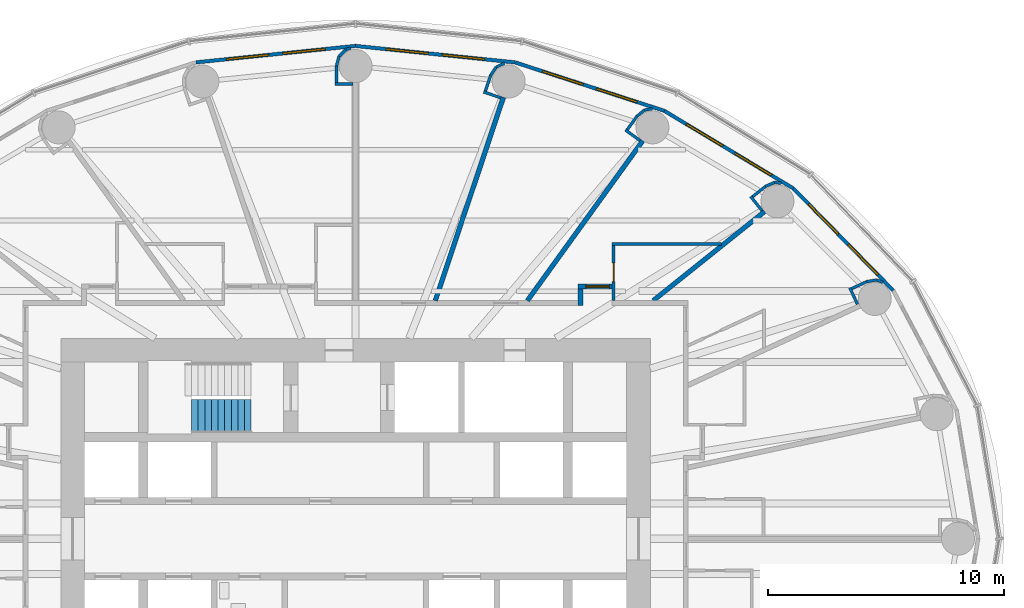
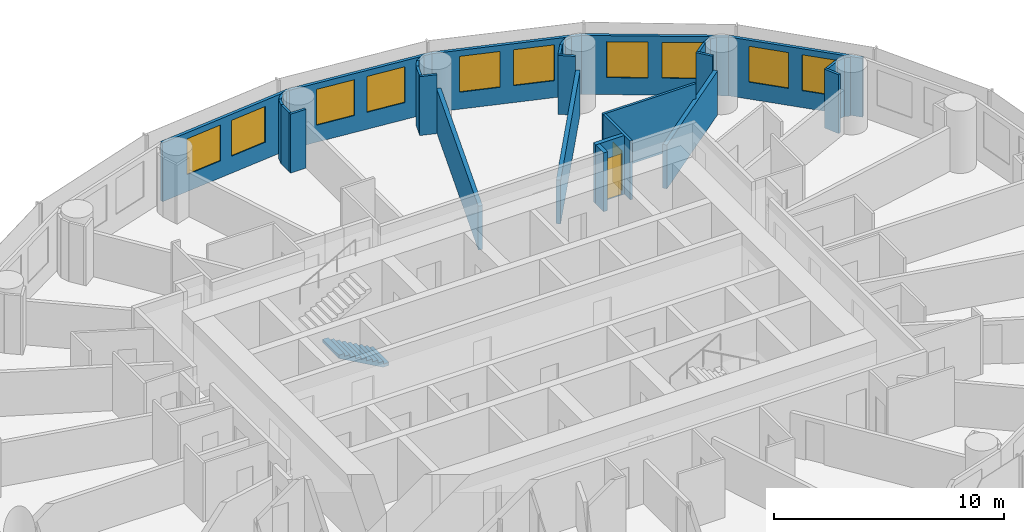
# One storey, part 13 of 16: 33 walls, 10 windows, 2 doors, 1 stair flight, 12 openings, 1 element without a shape of its own.
"""IFC4 building model written with IfcOpenShell, lengths in metres."""

from ifc_helpers import new_model, si_unit, direction, frame, frame_2d, origin, place, context, subcontext, project, spatial, polyline, rectangle, outline, extrude, material, layer, layer_set, type_object, element, fill, aggregate, save


model = new_model("IFC4")

# Units and contexts
model_context = context("Model", 3, precision=1e-05, world=origin(), true_north=direction((0.0, 1.0)))
body_context = subcontext(model_context, "Body", "Model", "MODEL_VIEW")
ifc_project = project(units=[si_unit("LENGTHUNIT", "METRE"), si_unit("AREAUNIT", "SQUARE_METRE"), si_unit("VOLUMEUNIT", "CUBIC_METRE"), si_unit("PLANEANGLEUNIT", "RADIAN"), si_unit("MASSUNIT", "GRAM", prefix="KILO")], contexts=[model_context])

# Site, building, storey
site_placement = place(None, origin())
site = spatial("IfcSite", under=ifc_project, at=site_placement, CompositionType="ELEMENT")
building_placement = place(site_placement, origin())
building = spatial("IfcBuilding", under=site, at=building_placement, Name="Hankou Lantern Tower", CompositionType="ELEMENT")
storey_placement = place(building_placement, frame((0.0, 0.0, 73.800048828125)))
storey = spatial("IfcBuildingStorey", under=building, at=storey_placement, Name="L18", CompositionType="ELEMENT", Elevation=73.800048828125)

# Wall, openings, windows
ifc_material_1 = material(Name="Aluminium spandrel panel on steel studs", Category="steel")
ifc_layer_1 = layer(ifc_material_1, 0.14990234375)
ifc_layer_set_1 = layer_set([ifc_layer_1], Name="Aluminium spandrel panel on steel studs")
wall_type_1 = type_object("IfcWallType", Name="EW1 INNER SKIN WALL 150", PredefinedType="ELEMENTEDWALL", material=ifc_layer_set_1)
wall_1_placement = place(storey_placement, frame((22.802734375, 10.5322265625, 0.0), z_axis=(0.0, 0.0, 1.0), x_axis=(-0.699602905915, 0.714531856557, 0.0)))
wall_1 = element("IfcWall", 1, at=wall_1_placement, inside=storey, type_object=wall_type_1, Name="Inner skin R03-R04 L18", PredefinedType="ELEMENTEDWALL", context=body_context, shape_type="SweptSolid", body=[
    extrude(rectangle(XDim=6.05078125, YDim=0.14990234375, at=frame_2d((3.025390625, 0.0))), origin(), (0.0, 0.0, 1.0), 3.119873046875),
])
opening_1_placement = place(wall_1_placement, frame((0.925537109375, 0.0, 0.89990234375)))
opening_1 = element("IfcOpeningElement", 2, at=opening_1_placement, cuts=wall_1, Name="Opening W1", PredefinedType="OPENING", context=body_context, shape_type="SweptSolid", body=[
    extrude(rectangle(XDim=1.800048828125, YDim=1.89990234375, at=frame_2d((0.89990234375, 0.949951171875))), frame((0.0, 0.0849609375, 0.0), z_axis=(0.0, -1.0, 0.0), x_axis=(1.0, 0.0, 0.0)), (0.0, 0.0, 1.0), 0.169921875),
])
opening_2_placement = place(wall_1_placement, frame((3.325439453125, 0.0, 0.89990234375)))
opening_2 = element("IfcOpeningElement", 3, at=opening_2_placement, cuts=wall_1, Name="Opening W1", PredefinedType="OPENING", context=body_context, shape_type="SweptSolid", body=[
    extrude(rectangle(XDim=1.800048828125, YDim=1.89990234375, at=frame_2d((0.89990234375, 0.949951171875))), frame((0.0, 0.0849609375, 0.0), z_axis=(0.0, -1.0, 0.0), x_axis=(1.0, 0.0, 0.0)), (0.0, 0.0, 1.0), 0.169921875),
])
ifc_material_2 = material(Name="Aluminium framed double glazed window", Category="aluminium")
window_type = type_object("IfcWindowType", Name="W1 GUEST ROOM WINDOW 1800X1900", PartitioningType="DOUBLE_PANEL_VERTICAL", PredefinedType="WINDOW", material=ifc_material_2)
window_1_placement = place(opening_1_placement, origin())
window_1 = element("IfcWindow", 4, at=window_1_placement, inside=storey, type_object=window_type, Name="Window R03.1 L18", OverallHeight=1.89990234375, OverallWidth=1.800048828125, PartitioningType="SINGLE_PANEL", PredefinedType="WINDOW", context=body_context, shape_type="SweptSolid", body=[
    extrude(rectangle(XDim=1.800048828125, YDim=1.89990234375, at=frame_2d((0.89990234375, 0.949951171875))), frame((0.0, 0.030029296875, 0.0), z_axis=(0.0, -1.0, 0.0), x_axis=(1.0, 0.0, 0.0)), (0.0, 0.0, 1.0), 0.06005859375),
])
fill(opening_1, window_1)
window_2_placement = place(opening_2_placement, origin())
window_2 = element("IfcWindow", 5, at=window_2_placement, inside=storey, type_object=window_type, Name="Window R03.2 L18", OverallHeight=1.89990234375, OverallWidth=1.800048828125, PartitioningType="SINGLE_PANEL", PredefinedType="WINDOW", context=body_context, shape_type="SweptSolid", body=[
    extrude(rectangle(XDim=1.800048828125, YDim=1.89990234375, at=frame_2d((0.89990234375, 0.949951171875))), frame((0.0, 0.030029296875, 0.0), z_axis=(0.0, -1.0, 0.0), x_axis=(1.0, 0.0, 0.0)), (0.0, 0.0, 1.0), 0.06005859375),
])
fill(opening_2, window_2)

wall_2_placement = place(storey_placement, frame((18.569580078125, 14.855712890625, 0.0), z_axis=(0.0, 0.0, 1.0), x_axis=(-0.856983180864, 0.515344377787, 0.0)))
wall_2 = element("IfcWall", 6, at=wall_2_placement, inside=storey, type_object=wall_type_1, Name="Inner skin R04-R05 L18", PredefinedType="ELEMENTEDWALL", context=body_context, shape_type="SweptSolid", body=[
    extrude(rectangle(XDim=6.386474609375, YDim=0.14990234375, at=frame_2d((3.193359375, 0.0))), origin(), (0.0, 0.0, 1.0), 3.119873046875),
])
opening_3_placement = place(wall_2_placement, frame((1.09326171875, 0.0, 0.89990234375)))
opening_3 = element("IfcOpeningElement", 7, at=opening_3_placement, cuts=wall_2, Name="Opening W1", PredefinedType="OPENING", context=body_context, shape_type="SweptSolid", body=[
    extrude(rectangle(XDim=1.800048828125, YDim=1.89990234375, at=frame_2d((0.89990234375, 0.949951171875))), frame((0.0, 0.0849609375, 0.0), z_axis=(0.0, -1.0, 0.0), x_axis=(1.0, 0.0, 0.0)), (0.0, 0.0, 1.0), 0.169921875),
])
opening_4_placement = place(wall_2_placement, frame((3.4931640625, 0.0, 0.89990234375)))
opening_4 = element("IfcOpeningElement", 8, at=opening_4_placement, cuts=wall_2, Name="Opening W1", PredefinedType="OPENING", context=body_context, shape_type="SweptSolid", body=[
    extrude(rectangle(XDim=1.800048828125, YDim=1.89990234375, at=frame_2d((0.89990234375, 0.949951171875))), frame((0.0, 0.0849609375, 0.0), z_axis=(0.0, -1.0, 0.0), x_axis=(1.0, 0.0, 0.0)), (0.0, 0.0, 1.0), 0.169921875),
])
window_3_placement = place(opening_3_placement, origin())
window_3 = element("IfcWindow", 9, at=window_3_placement, inside=storey, type_object=window_type, Name="Window R04.1 L18", OverallHeight=1.89990234375, OverallWidth=1.800048828125, PartitioningType="SINGLE_PANEL", PredefinedType="WINDOW", context=body_context, shape_type="SweptSolid", body=[
    extrude(rectangle(XDim=1.800048828125, YDim=1.89990234375, at=frame_2d((0.89990234375, 0.949951171875))), frame((0.0, 0.030029296875, 0.0), z_axis=(0.0, -1.0, 0.0), x_axis=(1.0, 0.0, 0.0)), (0.0, 0.0, 1.0), 0.06005859375),
])
fill(opening_3, window_3)
window_4_placement = place(opening_4_placement, origin())
window_4 = element("IfcWindow", 10, at=window_4_placement, inside=storey, type_object=window_type, Name="Window R04.2 L18", OverallHeight=1.89990234375, OverallWidth=1.800048828125, PartitioningType="SINGLE_PANEL", PredefinedType="WINDOW", context=body_context, shape_type="SweptSolid", body=[
    extrude(rectangle(XDim=1.800048828125, YDim=1.89990234375, at=frame_2d((0.89990234375, 0.949951171875))), frame((0.0, 0.030029296875, 0.0), z_axis=(0.0, -1.0, 0.0), x_axis=(1.0, 0.0, 0.0)), (0.0, 0.0, 1.0), 0.06005859375),
])
fill(opening_4, window_4)

wall_3_placement = place(storey_placement, frame((13.096435546875, 18.14697265625, 0.0), z_axis=(0.0, 0.0, 1.0), x_axis=(-0.951137534625, 0.308767534285, 0.0)))
wall_3 = element("IfcWall", 11, at=wall_3_placement, inside=storey, type_object=wall_type_1, Name="Inner skin R05-R06 L18", PredefinedType="ELEMENTEDWALL", context=body_context, shape_type="SweptSolid", body=[
    extrude(rectangle(XDim=6.6552734375, YDim=0.14990234375, at=frame_2d((3.32763671875, 0.0))), origin(), (0.0, 0.0, 1.0), 3.119873046875),
])
opening_5_placement = place(wall_3_placement, frame((1.2275390625, 0.0, 0.89990234375)))
opening_5 = element("IfcOpeningElement", 12, at=opening_5_placement, cuts=wall_3, Name="Opening W1", PredefinedType="OPENING", context=body_context, shape_type="SweptSolid", body=[
    extrude(rectangle(XDim=1.800048828125, YDim=1.89990234375, at=frame_2d((0.89990234375, 0.949951171875))), frame((0.0, 0.0849609375, 0.0), z_axis=(0.0, -1.0, 0.0), x_axis=(1.0, 0.0, 0.0)), (0.0, 0.0, 1.0), 0.169921875),
])
opening_6_placement = place(wall_3_placement, frame((3.627685546875, 0.0, 0.89990234375)))
opening_6 = element("IfcOpeningElement", 13, at=opening_6_placement, cuts=wall_3, Name="Opening W1", PredefinedType="OPENING", context=body_context, shape_type="SweptSolid", body=[
    extrude(rectangle(XDim=1.800048828125, YDim=1.89990234375, at=frame_2d((0.89990234375, 0.949951171875))), frame((0.0, 0.0849609375, 0.0), z_axis=(0.0, -1.0, 0.0), x_axis=(1.0, 0.0, 0.0)), (0.0, 0.0, 1.0), 0.169921875),
])
window_5_placement = place(opening_5_placement, origin())
window_5 = element("IfcWindow", 14, at=window_5_placement, inside=storey, type_object=window_type, Name="Window R05.1 L18", OverallHeight=1.89990234375, OverallWidth=1.800048828125, PartitioningType="SINGLE_PANEL", PredefinedType="WINDOW", context=body_context, shape_type="SweptSolid", body=[
    extrude(rectangle(XDim=1.800048828125, YDim=1.89990234375, at=frame_2d((0.89990234375, 0.949951171875))), frame((0.0, 0.030029296875, 0.0), z_axis=(0.0, -1.0, 0.0), x_axis=(1.0, 0.0, 0.0)), (0.0, 0.0, 1.0), 0.06005859375),
])
fill(opening_5, window_5)
window_6_placement = place(opening_6_placement, origin())
window_6 = element("IfcWindow", 15, at=window_6_placement, inside=storey, type_object=window_type, Name="Window R05.2 L18", OverallHeight=1.89990234375, OverallWidth=1.800048828125, PartitioningType="SINGLE_PANEL", PredefinedType="WINDOW", context=body_context, shape_type="SweptSolid", body=[
    extrude(rectangle(XDim=1.800048828125, YDim=1.89990234375, at=frame_2d((0.89990234375, 0.949951171875))), frame((0.0, 0.030029296875, 0.0), z_axis=(0.0, -1.0, 0.0), x_axis=(1.0, 0.0, 0.0)), (0.0, 0.0, 1.0), 0.06005859375),
])
fill(opening_6, window_6)

wall_4_placement = place(storey_placement, frame((6.766357421875, 20.201904296875, 0.0), z_axis=(0.0, 0.0, 1.0), x_axis=(-0.994721394369, 0.102612609291, 0.0)))
wall_4 = element("IfcWall", 16, at=wall_4_placement, inside=storey, type_object=wall_type_1, Name="Inner skin R06-R07 L18", PredefinedType="ELEMENTEDWALL", context=body_context, shape_type="SweptSolid", body=[
    extrude(rectangle(XDim=6.80224609375, YDim=0.14990234375, at=frame_2d((3.401123046875, 0.0))), origin(), (0.0, 0.0, 1.0), 3.119873046875),
])
opening_7_placement = place(wall_4_placement, frame((1.301025390625, 0.0, 0.89990234375)))
opening_7 = element("IfcOpeningElement", 17, at=opening_7_placement, cuts=wall_4, Name="Opening W1", PredefinedType="OPENING", context=body_context, shape_type="SweptSolid", body=[
    extrude(rectangle(XDim=1.800048828125, YDim=1.89990234375, at=frame_2d((0.89990234375, 0.949951171875))), frame((0.0, 0.0849609375, 0.0), z_axis=(0.0, -1.0, 0.0), x_axis=(1.0, 0.0, 0.0)), (0.0, 0.0, 1.0), 0.169921875),
])
opening_8_placement = place(wall_4_placement, frame((3.701171875, 0.0, 0.89990234375)))
opening_8 = element("IfcOpeningElement", 18, at=opening_8_placement, cuts=wall_4, Name="Opening W1", PredefinedType="OPENING", context=body_context, shape_type="SweptSolid", body=[
    extrude(rectangle(XDim=1.800048828125, YDim=1.89990234375, at=frame_2d((0.89990234375, 0.949951171875))), frame((0.0, 0.0849609375, 0.0), z_axis=(0.0, -1.0, 0.0), x_axis=(1.0, 0.0, 0.0)), (0.0, 0.0, 1.0), 0.169921875),
])
window_7_placement = place(opening_7_placement, origin())
window_7 = element("IfcWindow", 19, at=window_7_placement, inside=storey, type_object=window_type, Name="Window R06.1 L18", OverallHeight=1.89990234375, OverallWidth=1.800048828125, PartitioningType="SINGLE_PANEL", PredefinedType="WINDOW", context=body_context, shape_type="SweptSolid", body=[
    extrude(rectangle(XDim=1.800048828125, YDim=1.89990234375, at=frame_2d((0.89990234375, 0.949951171875))), frame((0.0, 0.030029296875, 0.0), z_axis=(0.0, -1.0, 0.0), x_axis=(1.0, 0.0, 0.0)), (0.0, 0.0, 1.0), 0.06005859375),
])
fill(opening_7, window_7)
window_8_placement = place(opening_8_placement, origin())
window_8 = element("IfcWindow", 20, at=window_8_placement, inside=storey, type_object=window_type, Name="Window R06.2 L18", OverallHeight=1.89990234375, OverallWidth=1.800048828125, PartitioningType="SINGLE_PANEL", PredefinedType="WINDOW", context=body_context, shape_type="SweptSolid", body=[
    extrude(rectangle(XDim=1.800048828125, YDim=1.89990234375, at=frame_2d((0.89990234375, 0.949951171875))), frame((0.0, 0.030029296875, 0.0), z_axis=(0.0, -1.0, 0.0), x_axis=(1.0, 0.0, 0.0)), (0.0, 0.0, 1.0), 0.06005859375),
])
fill(opening_8, window_8)

wall_5_placement = place(storey_placement, frame((0.0, 20.89990234375, 0.0), z_axis=(0.0, 0.0, 1.0), x_axis=(-0.994721394369, -0.102612609291, 0.0)))
wall_5 = element("IfcWall", 21, at=wall_5_placement, inside=storey, type_object=wall_type_1, Name="Inner skin R07-R08 L18", PredefinedType="ELEMENTEDWALL", context=body_context, shape_type="SweptSolid", body=[
    extrude(rectangle(XDim=6.80224609375, YDim=0.14990234375, at=frame_2d((3.401123046875, 0.0))), origin(), (0.0, 0.0, 1.0), 3.119873046875),
])
opening_9_placement = place(wall_5_placement, frame((1.301025390625, 0.0, 0.89990234375)))
opening_9 = element("IfcOpeningElement", 22, at=opening_9_placement, cuts=wall_5, Name="Opening W1", PredefinedType="OPENING", context=body_context, shape_type="SweptSolid", body=[
    extrude(rectangle(XDim=1.800048828125, YDim=1.89990234375, at=frame_2d((0.89990234375, 0.949951171875))), frame((0.0, 0.0849609375, 0.0), z_axis=(0.0, -1.0, 0.0), x_axis=(1.0, 0.0, 0.0)), (0.0, 0.0, 1.0), 0.169921875),
])
opening_10_placement = place(wall_5_placement, frame((3.701171875, 0.0, 0.89990234375)))
opening_10 = element("IfcOpeningElement", 23, at=opening_10_placement, cuts=wall_5, Name="Opening W1", PredefinedType="OPENING", context=body_context, shape_type="SweptSolid", body=[
    extrude(rectangle(XDim=1.800048828125, YDim=1.89990234375, at=frame_2d((0.89990234375, 0.949951171875))), frame((0.0, 0.0849609375, 0.0), z_axis=(0.0, -1.0, 0.0), x_axis=(1.0, 0.0, 0.0)), (0.0, 0.0, 1.0), 0.169921875),
])
window_9_placement = place(opening_9_placement, origin())
window_9 = element("IfcWindow", 24, at=window_9_placement, inside=storey, type_object=window_type, Name="Window R07.1 L18", OverallHeight=1.89990234375, OverallWidth=1.800048828125, PartitioningType="SINGLE_PANEL", PredefinedType="WINDOW", context=body_context, shape_type="SweptSolid", body=[
    extrude(rectangle(XDim=1.800048828125, YDim=1.89990234375, at=frame_2d((0.89990234375, 0.949951171875))), frame((0.0, 0.030029296875, 0.0), z_axis=(0.0, -1.0, 0.0), x_axis=(1.0, 0.0, 0.0)), (0.0, 0.0, 1.0), 0.06005859375),
])
fill(opening_9, window_9)
window_10_placement = place(opening_10_placement, origin())
window_10 = element("IfcWindow", 25, at=window_10_placement, inside=storey, type_object=window_type, Name="Window R07.2 L18", OverallHeight=1.89990234375, OverallWidth=1.800048828125, PartitioningType="SINGLE_PANEL", PredefinedType="WINDOW", context=body_context, shape_type="SweptSolid", body=[
    extrude(rectangle(XDim=1.800048828125, YDim=1.89990234375, at=frame_2d((0.89990234375, 0.949951171875))), frame((0.0, 0.030029296875, 0.0), z_axis=(0.0, -1.0, 0.0), x_axis=(1.0, 0.0, 0.0)), (0.0, 0.0, 1.0), 0.06005859375),
])
fill(opening_10, window_10)

# Wall
ifc_material_3 = material(Name="Masonry lightweight concrete block", Category="masonry")
ifc_layer_2 = layer(ifc_material_3, 0.199951171875)
ifc_layer_set_2 = layer_set([ifc_layer_2], Name="Masonry lightweight concrete block")
wall_type_2 = type_object("IfcWallType", Name="IW1 GUEST ROOM PARTY WALL 200", PredefinedType="PARTITIONING", material=ifc_layer_set_2)
wall_6_placement = place(storey_placement, frame((12.625, 10.10009765625, 0.0), z_axis=(0.0, 0.0, 1.0), x_axis=(0.780892451574, 0.624665493744, 0.0)))
element("IfcWall", 26, at=wall_6_placement, inside=storey, type_object=wall_type_2, Name="Party wall R04", PredefinedType="PARTITIONING", context=body_context, shape_type="SweptSolid", body=[
    extrude(rectangle(XDim=6.044677734375, YDim=0.199951171875, at=frame_2d((3.0224609375, 0.0))), origin(), (0.0, 0.0, 1.0), 2.320068359375),
])

# Wall, opening, door
ifc_material_4 = material(Name="Masonry lightweight concrete block", Category="masonry")
ifc_layer_3 = layer(ifc_material_4, 0.199951171875)
ifc_layer_set_3 = layer_set([ifc_layer_3], Name="Masonry lightweight concrete block")
wall_type_3 = type_object("IfcWallType", Name="IW2 CORRIDOR WALL 200", PredefinedType="PARTITIONING", material=ifc_layer_set_3)
wall_7_placement = place(storey_placement, frame((9.445068359375, 10.699951171875, 0.0), z_axis=(0.0, 0.0, 1.0), x_axis=(1.0, 0.0, 0.0)))
wall_7 = element("IfcWall", 27, at=wall_7_placement, inside=storey, type_object=wall_type_3, Name="Corridor recess wall 1809 back", PredefinedType="PARTITIONING", context=body_context, shape_type="SweptSolid", body=[
    extrude(rectangle(XDim=1.43994140625, YDim=0.199951171875, at=frame_2d((0.719970703125, 0.0))), origin(), (0.0, 0.0, 1.0), 3.119873046875),
])
opening_11_placement = place(wall_7_placement, frame((0.320068359375, 0.0, 0.0)))
opening_11 = element("IfcOpeningElement", 28, at=opening_11_placement, cuts=wall_7, Name="Opening D1", PredefinedType="OPENING", context=body_context, shape_type="SweptSolid", body=[
    extrude(rectangle(XDim=1.0, YDim=2.199951171875, at=frame_2d((0.5, 1.10009765625))), frame((0.0, 0.10986328125, 0.0), z_axis=(0.0, -1.0, 0.0), x_axis=(1.0, 0.0, 0.0)), (0.0, 0.0, 1.0), 0.219970703125),
])
ifc_material_5 = material(Name="Steel door leaf", Category="steel")
door_type_1 = type_object("IfcDoorType", Name="D1 GUEST ROOM DOOR 1000X2200", OperationType="SINGLE_SWING_LEFT", PredefinedType="DOOR", material=ifc_material_5)
door_1_placement = place(opening_11_placement, origin())
door_1 = element("IfcDoor", 29, at=door_1_placement, inside=storey, type_object=door_type_1, Name="Guest room door 1809", OperationType="SINGLE_SWING_RIGHT", OverallHeight=2.199951171875, OverallWidth=1.0, PredefinedType="DOOR", context=body_context, shape_type="SweptSolid", body=[
    extrude(rectangle(XDim=1.0, YDim=2.199951171875, at=frame_2d((0.5, 1.10009765625))), frame((0.0, 0.02490234375, 0.0), z_axis=(0.0, -1.0, 0.0), x_axis=(1.0, 0.0, 0.0)), (0.0, 0.0, 1.0), 0.050048828125),
])
fill(opening_11, door_1)

# Walls
wall_8_placement = place(storey_placement, frame((9.544921875, 9.89990234375, 0.0), z_axis=(0.0, 0.0, 1.0), x_axis=(0.0, 1.0, 0.0)))
element("IfcWall", 30, at=wall_8_placement, inside=storey, type_object=wall_type_3, Name="Corridor recess wall 1809 side", PredefinedType="PARTITIONING", context=body_context, shape_type="SweptSolid", body=[
    extrude(rectangle(XDim=0.7001953125, YDim=0.199951171875, at=frame_2d((0.35009765625, 0.0))), origin(), (0.0, 0.0, 1.0), 3.119873046875),
])
ifc_material_6 = material(Name="Masonry lightweight concrete block", Category="masonry")
ifc_layer_4 = layer(ifc_material_6, 0.1201171875)
ifc_layer_set_4 = layer_set([ifc_layer_4], Name="Masonry lightweight concrete block")
wall_type_4 = type_object("IfcWallType", Name="IW3 BATHROOM WALL 120", PredefinedType="PARTITIONING", material=ifc_layer_set_4)
wall_9_placement = place(storey_placement, frame((15.52490234375, 12.5, 0.0), z_axis=(0.0, 0.0, 1.0), x_axis=(-1.0, 0.0, 0.0)))
element("IfcWall", 31, at=wall_9_placement, inside=storey, type_object=wall_type_4, Name="Box wall 1809 1", PredefinedType="PARTITIONING", context=body_context, shape_type="SweptSolid", body=[
    extrude(rectangle(XDim=4.639892578125, YDim=0.1201171875, at=frame_2d((2.31982421875, 0.0))), origin(), (0.0, 0.0, 1.0), 3.119873046875),
])

# Wall, opening, door
wall_10_placement = place(storey_placement, frame((10.945068359375, 10.10009765625, 0.0), z_axis=(0.0, 0.0, 1.0), x_axis=(0.0, 1.0, 0.0)))
wall_10 = element("IfcWall", 32, at=wall_10_placement, inside=storey, type_object=wall_type_4, Name="Box wall 1809 1", PredefinedType="PARTITIONING", context=body_context, shape_type="SweptSolid", body=[
    extrude(rectangle(XDim=2.33984375, YDim=0.1201171875, at=frame_2d((1.169921875, 0.0))), origin(), (0.0, 0.0, 1.0), 3.119873046875),
])
opening_12_placement = place(wall_10_placement, frame((0.800048828125, 0.0, 0.0)))
opening_12 = element("IfcOpeningElement", 33, at=opening_12_placement, cuts=wall_10, Name="Opening D3", PredefinedType="OPENING", context=body_context, shape_type="SweptSolid", body=[
    extrude(rectangle(XDim=0.800048828125, YDim=2.10009765625, at=frame_2d((0.39990234375, 1.050048828125))), frame((0.0, 0.070068359375, 0.0), z_axis=(0.0, -1.0, 0.0), x_axis=(1.0, 0.0, 0.0)), (0.0, 0.0, 1.0), 0.14013671875),
])
ifc_material_7 = material(Name="Timber door leaf", Category="wood")
door_type_2 = type_object("IfcDoorType", Name="D3 BATHROOM DOOR 800X2100", OperationType="SINGLE_SWING_LEFT", PredefinedType="DOOR", material=ifc_material_7)
door_2_placement = place(opening_12_placement, origin())
door_2 = element("IfcDoor", 34, at=door_2_placement, inside=storey, type_object=door_type_2, Name="En-suite bathroom 1809 door", OperationType="SINGLE_SWING_LEFT", OverallHeight=2.10009765625, OverallWidth=0.800048828125, PredefinedType="DOOR", context=body_context, shape_type="SweptSolid", body=[
    extrude(rectangle(XDim=0.800048828125, YDim=2.10009765625, at=frame_2d((0.39990234375, 1.050048828125))), frame((0.0, 0.02490234375, 0.0), z_axis=(0.0, -1.0, 0.0), x_axis=(1.0, 0.0, 0.0)), (0.0, 0.0, 1.0), 0.050048828125),
])
fill(opening_12, door_2)

# Walls
ifc_material_8 = material(Name="Masonry lightweight concrete block", Category="masonry")
ifc_layer_5 = layer(ifc_material_8, 0.1201171875)
ifc_layer_set_5 = layer_set([ifc_layer_5], Name="Masonry lightweight concrete block")
wall_type_5 = type_object("IfcWallType", Name="IW4 PARTITION 120", PredefinedType="PARTITIONING", material=ifc_layer_set_5)
wall_11_placement = place(storey_placement, frame((21.287109375, 9.9423828125, 0.0), z_axis=(0.0, 0.0, 1.0), x_axis=(-0.419259891039, 0.907866258744, 0.0)))
element("IfcWall", 35, at=wall_11_placement, inside=storey, type_object=wall_type_5, Name="Column casing R03 return", PredefinedType="PARTITIONING", context=body_context, shape_type="SweptSolid", body=[
    extrude(rectangle(XDim=0.767578125, YDim=0.1201171875, at=frame_2d((0.3837890625, 0.0))), origin(), (0.0, 0.0, 1.0), 3.119873046875),
])
wall_12_placement = place(storey_placement, frame((21.044921875, 10.60986328125, 0.0), z_axis=(0.0, 0.0, 1.0), x_axis=(0.907877701396, 0.419235112208, 0.0)))
element("IfcWall", 36, at=wall_12_placement, inside=storey, type_object=wall_type_5, Name="Column casing R03", PredefinedType="PARTITIONING", context=body_context, shape_type="SweptSolid", body=[
    extrude(rectangle(XDim=0.699951171875, YDim=0.1201171875, at=frame_2d((0.35009765625, 0.0))), origin(), (0.0, 0.0, 1.0), 3.119873046875),
])
wall_13_placement = place(storey_placement, frame((21.680419921875, 10.9033203125, 0.0), z_axis=(0.0, 0.0, 1.0), x_axis=(0.985446622073, 0.169985161247, 0.0)))
element("IfcWall", 37, at=wall_13_placement, inside=storey, type_object=wall_type_5, Name="Column casing R03", PredefinedType="PARTITIONING", context=body_context, shape_type="SweptSolid", body=[
    extrude(rectangle(XDim=0.41796875, YDim=0.1201171875, at=frame_2d((0.208984375, 0.0))), origin(), (0.0, 0.0, 1.0), 3.119873046875),
])
wall_14_placement = place(storey_placement, frame((22.09228515625, 10.974365234375, 0.0), z_axis=(0.0, 0.0, 1.0), x_axis=(0.938428160676, -0.345474437912, 0.0)))
element("IfcWall", 38, at=wall_14_placement, inside=storey, type_object=wall_type_5, Name="Column casing R03", PredefinedType="PARTITIONING", context=body_context, shape_type="SweptSolid", body=[
    extrude(rectangle(XDim=0.2939453125, YDim=0.1201171875, at=frame_2d((0.14697265625, 0.0))), origin(), (0.0, 0.0, 1.0), 3.119873046875),
])
wall_15_placement = place(storey_placement, frame((17.23583984375, 13.916748046875, 0.0), z_axis=(0.0, 0.0, 1.0), x_axis=(-0.624695047554, 0.780868809443, 0.0)))
element("IfcWall", 39, at=wall_15_placement, inside=storey, type_object=wall_type_5, Name="Column casing R04 return", PredefinedType="PARTITIONING", context=body_context, shape_type="SweptSolid", body=[
    extrude(rectangle(XDim=0.767578125, YDim=0.1201171875, at=frame_2d((0.3837890625, 0.0))), origin(), (0.0, 0.0, 1.0), 3.119873046875),
])
wall_16_placement = place(storey_placement, frame((16.840576171875, 14.506591796875, 0.0), z_axis=(0.0, 0.0, 1.0), x_axis=(0.780902834923, 0.62465251333, 0.0)))
element("IfcWall", 40, at=wall_16_placement, inside=storey, type_object=wall_type_5, Name="Column casing R04", PredefinedType="PARTITIONING", context=body_context, shape_type="SweptSolid", body=[
    extrude(rectangle(XDim=0.699951171875, YDim=0.1201171875, at=frame_2d((0.35009765625, 0.0))), origin(), (0.0, 0.0, 1.0), 3.119873046875),
])
wall_17_placement = place(storey_placement, frame((17.38720703125, 14.94384765625, 0.0), z_axis=(0.0, 0.0, 1.0), x_axis=(0.916036698064, 0.401094462441, 0.0)))
element("IfcWall", 41, at=wall_17_placement, inside=storey, type_object=wall_type_5, Name="Column casing R04", PredefinedType="PARTITIONING", context=body_context, shape_type="SweptSolid", body=[
    extrude(rectangle(XDim=0.418212890625, YDim=0.1201171875, at=frame_2d((0.208984375, 0.0))), origin(), (0.0, 0.0, 1.0), 3.119873046875),
])
wall_18_placement = place(storey_placement, frame((17.770263671875, 15.111572265625, 0.0), z_axis=(0.0, 0.0, 1.0), x_axis=(0.993904401174, -0.110245368731, 0.0)))
element("IfcWall", 42, at=wall_18_placement, inside=storey, type_object=wall_type_5, Name="Column casing R04", PredefinedType="PARTITIONING", context=body_context, shape_type="SweptSolid", body=[
    extrude(rectangle(XDim=0.287841796875, YDim=0.1201171875, at=frame_2d((0.14404296875, 0.0))), origin(), (0.0, 0.0, 1.0), 3.119873046875),
])
wall_19_placement = place(storey_placement, frame((12.06494140625, 16.888671875, 0.0), z_axis=(0.0, 0.0, 1.0), x_axis=(-0.810821798253, 0.585293098778, 0.0)))
element("IfcWall", 43, at=wall_19_placement, inside=storey, type_object=wall_type_5, Name="Column casing R05 return", PredefinedType="PARTITIONING", context=body_context, shape_type="SweptSolid", body=[
    extrude(rectangle(XDim=0.767578125, YDim=0.1201171875, at=frame_2d((0.3837890625, 0.0))), origin(), (0.0, 0.0, 1.0), 3.119873046875),
])
wall_20_placement = place(storey_placement, frame((11.5263671875, 17.351318359375, 0.0), z_axis=(0.0, 0.0, 1.0), x_axis=(0.585223113993, 0.810872312296, 0.0)))
element("IfcWall", 44, at=wall_20_placement, inside=storey, type_object=wall_type_5, Name="Column casing R05", PredefinedType="PARTITIONING", context=body_context, shape_type="SweptSolid", body=[
    extrude(rectangle(XDim=0.699951171875, YDim=0.1201171875, at=frame_2d((0.35009765625, 0.0))), origin(), (0.0, 0.0, 1.0), 3.119873046875),
])
wall_21_placement = place(storey_placement, frame((11.93603515625, 17.9189453125, 0.0), z_axis=(0.0, 0.0, 1.0), x_axis=(0.775023088441, 0.631932917629, 0.0)))
element("IfcWall", 45, at=wall_21_placement, inside=storey, type_object=wall_type_5, Name="Column casing R05", PredefinedType="PARTITIONING", context=body_context, shape_type="SweptSolid", body=[
    extrude(rectangle(XDim=0.41796875, YDim=0.1201171875, at=frame_2d((0.208984375, 0.0))), origin(), (0.0, 0.0, 1.0), 3.119873046875),
])
wall_22_placement = place(storey_placement, frame((12.260009765625, 18.18310546875, 0.0), z_axis=(0.0, 0.0, 1.0), x_axis=(0.987218661664, 0.159371622511, 0.0)))
element("IfcWall", 46, at=wall_22_placement, inside=storey, type_object=wall_type_5, Name="Column casing R05", PredefinedType="PARTITIONING", context=body_context, shape_type="SweptSolid", body=[
    extrude(rectangle(XDim=0.330810546875, YDim=0.1201171875, at=frame_2d((0.16552734375, 0.0))), origin(), (0.0, 0.0, 1.0), 3.119873046875),
])
wall_23_placement = place(storey_placement, frame((6.15869140625, 18.702392578125, 0.0), z_axis=(0.0, 0.0, 1.0), x_axis=(-0.948173154049, 0.31775410295, 0.0)))
element("IfcWall", 47, at=wall_23_placement, inside=storey, type_object=wall_type_5, Name="Column casing R06 return", PredefinedType="PARTITIONING", context=body_context, shape_type="SweptSolid", body=[
    extrude(rectangle(XDim=0.767578125, YDim=0.1201171875, at=frame_2d((0.3837890625, 0.0))), origin(), (0.0, 0.0, 1.0), 3.119873046875),
])
wall_24_placement = place(storey_placement, frame((5.5068359375, 18.984130859375, 0.0), z_axis=(0.0, 0.0, 1.0), x_axis=(0.317692050622, 0.948193946918, 0.0)))
element("IfcWall", 48, at=wall_24_placement, inside=storey, type_object=wall_type_5, Name="Column casing R06", PredefinedType="PARTITIONING", context=body_context, shape_type="SweptSolid", body=[
    extrude(rectangle(XDim=0.7001953125, YDim=0.1201171875, at=frame_2d((0.35009765625, 0.0))), origin(), (0.0, 0.0, 1.0), 3.119873046875),
])
wall_25_placement = place(storey_placement, frame((5.729248046875, 19.64794921875, 0.0), z_axis=(0.0, 0.0, 1.0), x_axis=(0.552135764955, 0.833754218615, 0.0)))
element("IfcWall", 49, at=wall_25_placement, inside=storey, type_object=wall_type_5, Name="Column casing R06", PredefinedType="PARTITIONING", context=body_context, shape_type="SweptSolid", body=[
    extrude(rectangle(XDim=0.41796875, YDim=0.1201171875, at=frame_2d((0.208984375, 0.0))), origin(), (0.0, 0.0, 1.0), 3.119873046875),
])
wall_26_placement = place(storey_placement, frame((5.9599609375, 19.996337890625, 0.0), z_axis=(0.0, 0.0, 1.0), x_axis=(0.895160725913, 0.445743507842, 0.0)))
element("IfcWall", 50, at=wall_26_placement, inside=storey, type_object=wall_type_5, Name="Column casing R06", PredefinedType="PARTITIONING", context=body_context, shape_type="SweptSolid", body=[
    extrude(rectangle(XDim=0.398681640625, YDim=0.1201171875, at=frame_2d((0.19921875, 0.0))), origin(), (0.0, 0.0, 1.0), 3.119873046875),
])
wall_27_placement = place(storey_placement, frame((-0.10009765625, 19.2900390625, 0.0), z_axis=(0.0, 0.0, 1.0), x_axis=(-1.0, 0.0, 0.0)))
element("IfcWall", 51, at=wall_27_placement, inside=storey, type_object=wall_type_5, Name="Column casing R07 return", PredefinedType="PARTITIONING", context=body_context, shape_type="SweptSolid", body=[
    extrude(rectangle(XDim=0.767333984375, YDim=0.1201171875, at=frame_2d((0.3837890625, 0.0))), origin(), (0.0, 0.0, 1.0), 3.119873046875),
])
wall_28_placement = place(storey_placement, frame((-0.8076171875, 19.35009765625, 0.0), z_axis=(0.0, 0.0, 1.0), x_axis=(0.0, 1.0, 0.0)))
element("IfcWall", 52, at=wall_28_placement, inside=storey, type_object=wall_type_5, Name="Column casing R07", PredefinedType="PARTITIONING", context=body_context, shape_type="SweptSolid", body=[
    extrude(rectangle(XDim=0.699951171875, YDim=0.1201171875, at=frame_2d((0.35009765625, 0.0))), origin(), (0.0, 0.0, 1.0), 3.119873046875),
])
wall_29_placement = place(storey_placement, frame((-0.8076171875, 20.050048828125, 0.0), z_axis=(0.0, 0.0, 1.0), x_axis=(0.2592614205, 0.965807183573, 0.0)))
element("IfcWall", 53, at=wall_29_placement, inside=storey, type_object=wall_type_5, Name="Column casing R07", PredefinedType="PARTITIONING", context=body_context, shape_type="SweptSolid", body=[
    extrude(rectangle(XDim=0.418212890625, YDim=0.1201171875, at=frame_2d((0.208984375, 0.0))), origin(), (0.0, 0.0, 1.0), 3.119873046875),
])
wall_30_placement = place(storey_placement, frame((-0.69921875, 20.453857421875, 0.0), z_axis=(0.0, 0.0, 1.0), x_axis=(0.707106781187, 0.707106781187, 0.0)))
element("IfcWall", 54, at=wall_30_placement, inside=storey, type_object=wall_type_5, Name="Column casing R07", PredefinedType="PARTITIONING", context=body_context, shape_type="SweptSolid", body=[
    extrude(rectangle(XDim=0.417724609375, YDim=0.1201171875, at=frame_2d((0.208984375, 0.0))), origin(), (0.0, 0.0, 1.0), 3.119873046875),
])
wall_31_placement = place(storey_placement, frame((-0.40380859375, 20.749267578125, 0.0), z_axis=(0.0, 0.0, 1.0), x_axis=(0.965759066438, 0.25944060128, 0.0)))
element("IfcWall", 55, at=wall_31_placement, inside=storey, type_object=wall_type_5, Name="Column casing R07", PredefinedType="PARTITIONING", context=body_context, shape_type="SweptSolid", body=[
    extrude(rectangle(XDim=0.213623046875, YDim=0.1201171875, at=frame_2d((0.10693359375, 0.0))), origin(), (0.0, 0.0, 1.0), 3.119873046875),
])
ifc_material_9 = material(Name="Masonry lightweight concrete block", Category="masonry")
ifc_layer_6 = layer(ifc_material_9, 0.199951171875)
ifc_layer_set_6 = layer_set([ifc_layer_6], Name="Masonry lightweight concrete block")
wall_type_6 = type_object("IfcWallType", Name="IW8 PARTITION 200", PredefinedType="PARTITIONING", material=ifc_layer_set_6)
wall_32_placement = place(storey_placement, frame((7.2890625, 10.10009765625, 0.0), z_axis=(0.0, 0.0, 1.0), x_axis=(0.585198353053, 0.810890182197, 0.0)))
element("IfcWall", 56, at=wall_32_placement, inside=storey, type_object=wall_type_6, Name="Partition R05", PredefinedType="PARTITIONING", context=body_context, shape_type="SweptSolid", body=[
    extrude(rectangle(XDim=8.359619140625, YDim=0.199951171875, at=frame_2d((4.1796875, 0.0))), origin(), (0.0, 0.0, 1.0), 2.320068359375),
])
wall_33_placement = place(storey_placement, frame((3.3828125, 10.10009765625, 0.0), z_axis=(0.0, 0.0, 1.0), x_axis=(0.31759592231, 0.948226149256, 0.0)))
element("IfcWall", 57, at=wall_33_placement, inside=storey, type_object=wall_type_6, Name="Partition R06", PredefinedType="PARTITIONING", context=body_context, shape_type="SweptSolid", body=[
    extrude(rectangle(XDim=9.098388671875, YDim=0.199951171875, at=frame_2d((4.54931640625, 0.0))), origin(), (0.0, 0.0, 1.0), 2.320068359375),
])

# Stair, stair flight
ifc_material_10 = material(Name="Concrete C40", Category="concrete")
stair_type = type_object("IfcStairType", Name="ST33 CORE STAIR 3300 RISE", PredefinedType="HALF_TURN_STAIR", material=ifc_material_10)
stair_placement = place(storey_placement, origin())
stair = element("IfcStair", 58, at=stair_placement, inside=storey, type_object=stair_type, Name="Stair STA L18", PredefinedType="HALF_TURN_STAIR")
ifc_material_11 = material(Name="Concrete C40", Category="concrete")
stair_flight_type = type_object("IfcStairFlightType", Name="CF10 CORE STAIR FLIGHT 1400 X 10 RISERS", PredefinedType="STRAIGHT", material=ifc_material_11)
stair_flight_placement = place(storey_placement, frame((-4.429931640625, 5.199951171875, 0.0), z_axis=(0.0, 0.0, 1.0), x_axis=(-1.0, 0.0, 0.0)))
stair_flight = element("IfcStairFlight", 59, at=stair_flight_placement, type_object=stair_flight_type, Name="STA flight 1", NumberOfRisers=10, NumberOfTreads=9, PredefinedType="STRAIGHT", RiserHeight=0.157142857, TreadLength=0.28, context=body_context, shape_type="SweptSolid", body=[
    extrude(outline(polyline([(0.0, 0.0), (0.0, 0.1572265625), (0.280029296875, 0.1572265625), (0.280029296875, 0.314208984375), (0.56005859375, 0.314208984375), (0.56005859375, 0.471435546875), (0.840087890625, 0.471435546875), (0.840087890625, 0.628662109375), (1.1201171875, 0.628662109375), (1.1201171875, 0.78564453125), (1.39990234375, 0.78564453125), (1.39990234375, 0.94287109375), (1.679931640625, 0.94287109375), (1.679931640625, 1.10009765625), (1.9599609375, 1.10009765625), (1.9599609375, 1.257080078125), (2.239990234375, 1.257080078125), (2.239990234375, 1.414306640625), (2.52001953125, 1.414306640625), (2.52001953125, 1.571533203125), (2.52001953125, 1.242431640625), (0.306396484375, 0.0), (0.0, 0.0)])), frame((0.0, 0.699951171875, 0.0), z_axis=(0.0, -1.0, 0.0), x_axis=(1.0, 0.0, 0.0)), (0.0, 0.0, 1.0), 1.39990234375),
])
aggregate(stair, [stair_flight])

save(model, "model.ifc")
